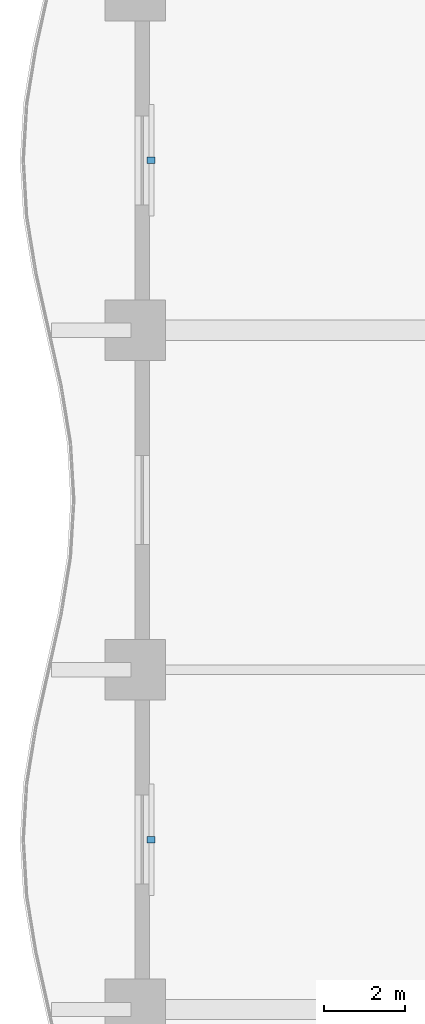
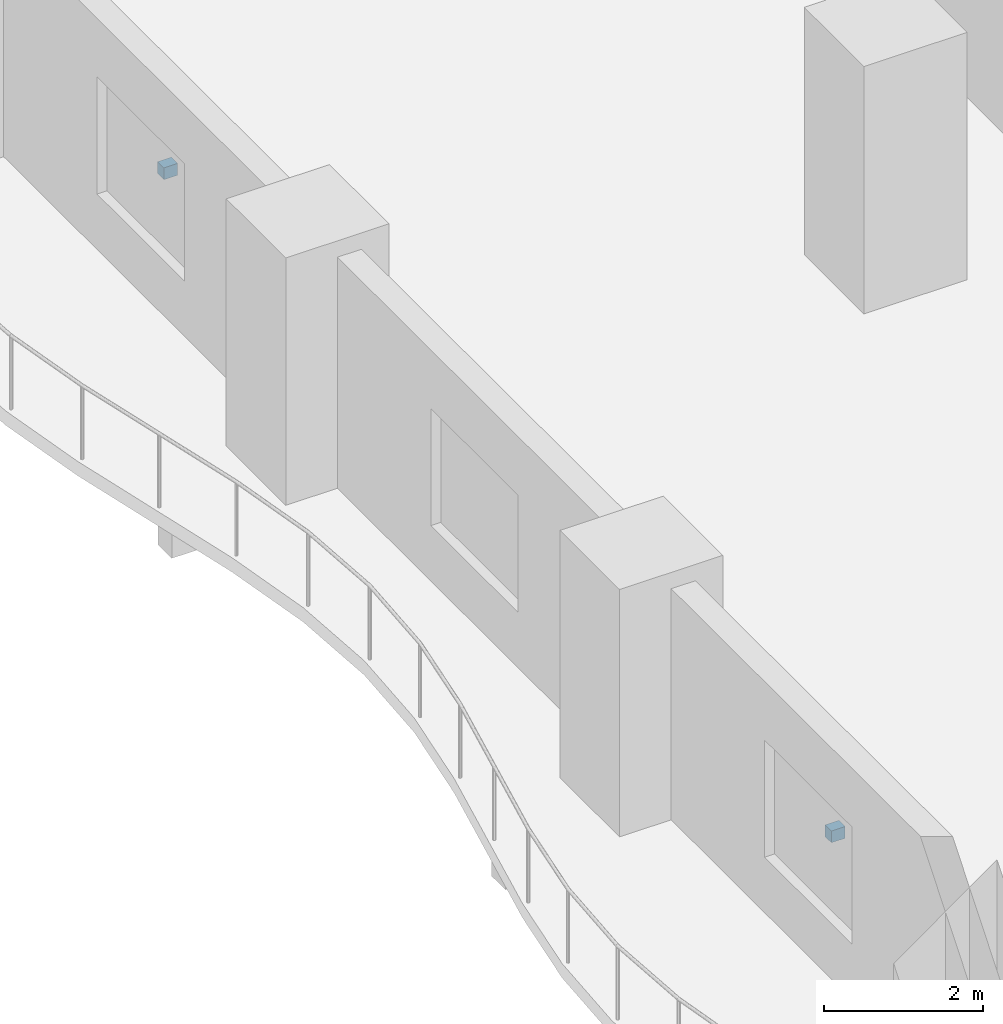
# One storey, part 18 of 22: 2 discrete accessories.
"""IFC4 building model written with IfcOpenShell, lengths in metres."""

from ifc_helpers import new_model, si_unit, direction, frame, origin, origin_2d, place, context, subcontext, project, spatial, rectangle, extrude, material, type_object, element, save


model = new_model("IFC4")

# Units and contexts
model_context = context("Model", 3, precision=1e-05, world=origin(), true_north=direction((0.0, 1.0)))
body_context = subcontext(model_context, "Body", "Model", "MODEL_VIEW")
ifc_project = project(units=[si_unit("LENGTHUNIT", "METRE"), si_unit("AREAUNIT", "SQUARE_METRE"), si_unit("VOLUMEUNIT", "CUBIC_METRE"), si_unit("PLANEANGLEUNIT", "RADIAN"), si_unit("MASSUNIT", "GRAM", prefix="KILO")], contexts=[model_context])

# Site, building, storey
site_placement = place(None, origin())
site = spatial("IfcSite", under=ifc_project, at=site_placement, CompositionType="ELEMENT")
building_placement = place(site_placement, origin())
building = spatial("IfcBuilding", under=site, at=building_placement, Name="Koriwani Terraces Tower", CompositionType="ELEMENT")
storey_placement = place(building_placement, frame((0.0, 0.0, 62.39990234375)))
storey = spatial("IfcBuildingStorey", under=building, at=storey_placement, Name="L14", CompositionType="ELEMENT", Elevation=62.39990234375)

# Discrete accessories
ifc_material = material(Name="Steel ASTM A572 Grade 50", Category="steel")
discrete_accessory_type = type_object("IfcDiscreteAccessoryType", Name="BAGUETTE_STANDOFF_BRACKET", PredefinedType="BRACKET", material=ifc_material)
for number, where, z_axis, x_axis, name in (
    (1, (0.389892578125, 63.0, 1.68505859375), (0.0, 0.0, 1.0), (0.0, 1.0, 0.0), "L14 Terracotta Baguette Bracket (W-21)"),
    (2, (0.389892578125, 79.800048828125, 1.68505859375), (0.0, 0.0, 1.0), (0.0, 1.0, 0.0), "L14 Terracotta Baguette Bracket (W-27)"),
):
    element("IfcDiscreteAccessory", number, at=place(storey_placement, frame(where, z_axis=z_axis, x_axis=x_axis)), inside=storey, type_object=discrete_accessory_type, Name=name, PredefinedType="BRACKET", context=body_context, shape_type="SweptSolid", body=[
        extrude(rectangle(XDim=0.159912109375, YDim=0.199951171875, at=origin_2d()), origin(), (0.0, 0.0, 1.0), 0.179931640625),
    ])

save(model, "model.ifc")
